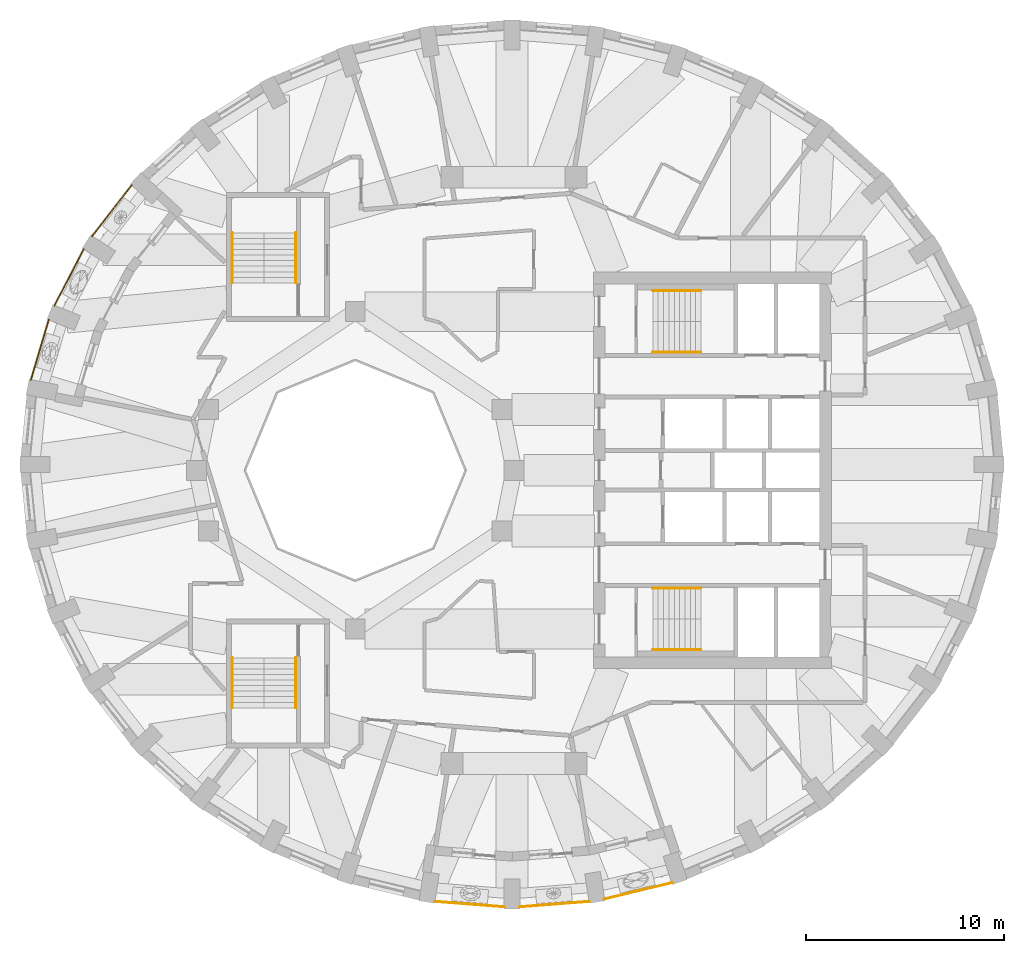
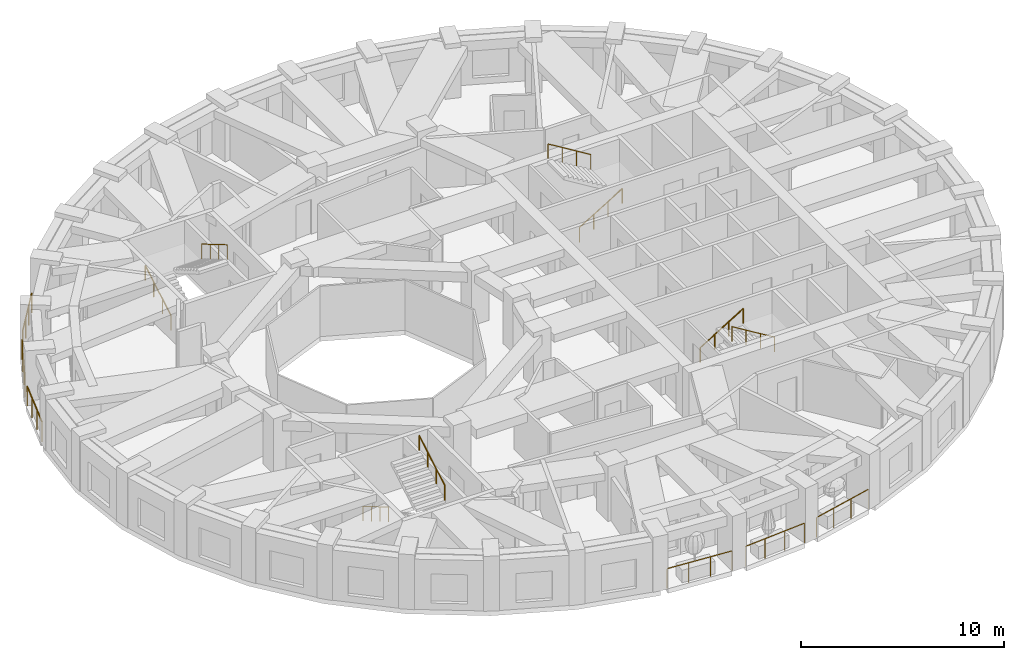
# One storey, part 10 of 12: 14 railings.
"""IFC4 building model written with IfcOpenShell, lengths in metres."""

from ifc_helpers import new_model, si_unit, direction, frame, origin, origin_2d, place, context, subcontext, project, spatial, circle, extrude, material, type_object, element, save


model = new_model("IFC4")

# Units and contexts
model_context = context("Model", 3, precision=1e-05, world=origin(), true_north=direction((0.0, 1.0)))
body_context = subcontext(model_context, "Body", "Model", "MODEL_VIEW")
ifc_project = project(units=[si_unit("LENGTHUNIT", "METRE"), si_unit("AREAUNIT", "SQUARE_METRE"), si_unit("VOLUMEUNIT", "CUBIC_METRE"), si_unit("PLANEANGLEUNIT", "RADIAN"), si_unit("MASSUNIT", "GRAM", prefix="KILO")], contexts=[model_context])

# Site, building, storey
site_placement = place(None, origin())
site = spatial("IfcSite", under=ifc_project, at=site_placement, CompositionType="ELEMENT")
building_placement = place(site_placement, origin())
building = spatial("IfcBuilding", under=site, at=building_placement, Name="Taillehof Tower", CompositionType="ELEMENT")
storey_placement = place(building_placement, frame((0.0, 0.0, 246.5)))
storey = spatial("IfcBuildingStorey", under=building, at=storey_placement, Name="L70", CompositionType="ELEMENT", Elevation=246.5)

# Railings
ifc_material_1 = material(Name="Stainless steel balustrade", Category="steel")
railing_type_1 = type_object("IfcRailingType", Name="Balcony guard 1200", PredefinedType="GUARDRAIL", material=ifc_material_1)
railing_1_placement = place(storey_placement, frame((-4.004638671875, -21.732177734375, 0.0)))
element("IfcRailing", 1, at=railing_1_placement, inside=storey, type_object=railing_type_1, Name="Balcony guard L70 bay 27", PredefinedType="GUARDRAIL", context=body_context, shape_type="SweptSolid", body=[
    extrude(circle(Radius=0.02392578125, at=origin_2d()), frame((0.0, 0.0, 1.17578125), z_axis=(0.99691310074, -0.078512862474, 0.0), x_axis=(0.078512862474, 0.99691310074, 0.0)), (0.0, 0.0, 1.0), 3.53564453125),
    extrude(circle(Radius=0.02099609375, at=origin_2d()), origin(), (0.0, 0.0, 1.0), 1.15185546875),
    extrude(circle(Radius=0.02099609375, at=origin_2d()), frame((1.1748046875, -0.092529296875, 0.0)), (0.0, 0.0, 1.0), 1.15185546875),
    extrude(circle(Radius=0.02099609375, at=origin_2d()), frame((2.349853515625, -0.18505859375, 0.0)), (0.0, 0.0, 1.0), 1.15185546875),
    extrude(circle(Radius=0.02099609375, at=origin_2d()), frame((3.524658203125, -0.277587890625, 0.0)), (0.0, 0.0, 1.0), 1.15185546875),
])
railing_2_placement = place(storey_placement, frame((0.280029296875, -22.009765625, 0.0)))
element("IfcRailing", 2, at=railing_2_placement, inside=storey, type_object=railing_type_1, Name="Balcony guard L70 bay 28", PredefinedType="GUARDRAIL", context=body_context, shape_type="SweptSolid", body=[
    extrude(circle(Radius=0.02392578125, at=origin_2d()), frame((0.0, 0.0, 1.17578125), z_axis=(0.99691310074, 0.078512862474, 0.0), x_axis=(-0.078512862474, 0.99691310074, 0.0)), (0.0, 0.0, 1.0), 3.53564453125),
    extrude(circle(Radius=0.02099609375, at=origin_2d()), origin(), (0.0, 0.0, 1.0), 1.15185546875),
    extrude(circle(Radius=0.02099609375, at=origin_2d()), frame((1.1748046875, 0.092529296875, 0.0)), (0.0, 0.0, 1.0), 1.15185546875),
    extrude(circle(Radius=0.02099609375, at=origin_2d()), frame((2.349853515625, 0.18505859375, 0.0)), (0.0, 0.0, 1.0), 1.15185546875),
    extrude(circle(Radius=0.02099609375, at=origin_2d()), frame((3.524658203125, 0.277587890625, 0.0)), (0.0, 0.0, 1.0), 1.15185546875),
])
railing_3_placement = place(storey_placement, frame((4.555419921875, -21.61279296875, 0.0)))
element("IfcRailing", 3, at=railing_3_placement, inside=storey, type_object=railing_type_1, Name="Balcony guard L70 bay 29", PredefinedType="GUARDRAIL", context=body_context, shape_type="SweptSolid", body=[
    extrude(circle(Radius=0.02392578125, at=origin_2d()), frame((0.0, 0.0, 1.17578125), z_axis=(0.972116636457, 0.234497857397, 0.0), x_axis=(-0.234497857397, 0.972116636457, 0.0)), (0.0, 0.0, 1.0), 3.5126953125),
    extrude(circle(Radius=0.02099609375, at=origin_2d()), origin(), (0.0, 0.0, 1.0), 1.15185546875),
    extrude(circle(Radius=0.02099609375, at=origin_2d()), frame((1.13818359375, 0.274658203125, 0.0)), (0.0, 0.0, 1.0), 1.15185546875),
    extrude(circle(Radius=0.02099609375, at=origin_2d()), frame((2.276611328125, 0.549072265625, 0.0)), (0.0, 0.0, 1.0), 1.15185546875),
    extrude(circle(Radius=0.02099609375, at=origin_2d()), frame((3.414794921875, 0.82373046875, 0.0)), (0.0, 0.0, 1.0), 1.15185546875),
])
railing_4_placement = place(storey_placement, frame((-19.262939453125, 14.384521484375, 0.0)))
element("IfcRailing", 4, at=railing_4_placement, inside=storey, type_object=railing_type_1, Name="Balcony guard L70 bay 15", PredefinedType="GUARDRAIL", context=body_context, shape_type="SweptSolid", body=[
    extrude(circle(Radius=0.02392578125, at=origin_2d()), frame((0.0, 0.0, 1.17578125), z_axis=(-0.613914823263, -0.789372275785, 0.0), x_axis=(0.789372275785, -0.613914823263, 0.0)), (0.0, 0.0, 1.0), 3.27685546875),
    extrude(circle(Radius=0.02099609375, at=origin_2d()), origin(), (0.0, 0.0, 1.0), 1.15185546875),
    extrude(circle(Radius=0.02099609375, at=origin_2d()), frame((-0.670654296875, -0.8623046875, 0.0)), (0.0, 0.0, 1.0), 1.15185546875),
    extrude(circle(Radius=0.02099609375, at=origin_2d()), frame((-1.341064453125, -1.724365234375, 0.0)), (0.0, 0.0, 1.0), 1.15185546875),
    extrude(circle(Radius=0.02099609375, at=origin_2d()), frame((-2.01171875, -2.586669921875, 0.0)), (0.0, 0.0, 1.0), 1.15185546875),
])
railing_5_placement = place(storey_placement, frame((-21.6845703125, 11.157470703125, 0.0)))
element("IfcRailing", 5, at=railing_5_placement, inside=storey, type_object=railing_type_1, Name="Balcony guard L70 bay 16", PredefinedType="GUARDRAIL", context=body_context, shape_type="SweptSolid", body=[
    extrude(circle(Radius=0.02392578125, at=origin_2d()), frame((0.0, 0.0, 1.17578125), z_axis=(-0.4599205147, -0.887960089282, 0.0), x_axis=(0.887960089282, -0.4599205147, 0.0)), (0.0, 0.0, 1.0), 3.21630859375),
    extrude(circle(Radius=0.02099609375, at=origin_2d()), origin(), (0.0, 0.0, 1.0), 1.15185546875),
    extrude(circle(Radius=0.02099609375, at=origin_2d()), frame((-0.4931640625, -0.951904296875, 0.0)), (0.0, 0.0, 1.0), 1.15185546875),
    extrude(circle(Radius=0.02099609375, at=origin_2d()), frame((-0.986083984375, -1.904052734375, 0.0)), (0.0, 0.0, 1.0), 1.15185546875),
    extrude(circle(Radius=0.02099609375, at=origin_2d()), frame((-1.479248046875, -2.85595703125, 0.0)), (0.0, 0.0, 1.0), 1.15185546875),
])
railing_6_placement = place(storey_placement, frame((-23.4482421875, 7.5966796875, 0.0)))
element("IfcRailing", 6, at=railing_6_placement, inside=storey, type_object=railing_type_1, Name="Balcony guard L70 bay 17", PredefinedType="GUARDRAIL", context=body_context, shape_type="SweptSolid", body=[
    extrude(circle(Radius=0.02392578125, at=origin_2d()), frame((0.0, 0.0, 1.17578125), z_axis=(-0.285199702908, -0.958468116038, 0.0), x_axis=(0.958468116038, -0.285199702908, 0.0)), (0.0, 0.0, 1.0), 3.170654296875),
    extrude(circle(Radius=0.02099609375, at=origin_2d()), origin(), (0.0, 0.0, 1.0), 1.15185546875),
    extrude(circle(Radius=0.02099609375, at=origin_2d()), frame((-0.301513671875, -1.012939453125, 0.0)), (0.0, 0.0, 1.0), 1.15185546875),
    extrude(circle(Radius=0.02099609375, at=origin_2d()), frame((-0.602783203125, -2.026123046875, 0.0)), (0.0, 0.0, 1.0), 1.15185546875),
    extrude(circle(Radius=0.02099609375, at=origin_2d()), frame((-0.904296875, -3.0390625, 0.0)), (0.0, 0.0, 1.0), 1.15185546875),
])
ifc_material_2 = material(Name="Stainless steel", Category="steel")
railing_type_2 = type_object("IfcRailingType", Name="Stair handrail 900", PredefinedType="HANDRAIL", material=ifc_material_2)
railing_7_placement = place(storey_placement, frame((7.0, 5.949951171875, 0.1650390625)))
element("IfcRailing", 7, at=railing_7_placement, inside=storey, type_object=railing_type_2, Name="Stair S1 handrail", PredefinedType="HANDRAIL", context=body_context, shape_type="SweptSolid", body=[
    extrude(circle(Radius=0.02392578125, at=origin_2d()), frame((0.0, 0.0, 0.8759765625), z_axis=(0.853296667938, 0.0, 0.521425734392), x_axis=(0.0, 1.0, 0.0)), (0.0, 0.0, 1.0), 2.84765625),
    extrude(circle(Radius=0.02099609375, at=origin_2d()), origin(), (0.0, 0.0, 1.0), 0.851806640625),
    extrude(circle(Radius=0.02099609375, at=origin_2d()), frame((0.81005859375, 0.0, 0.494873046875)), (0.0, 0.0, 1.0), 0.851806640625),
    extrude(circle(Radius=0.02099609375, at=origin_2d()), frame((1.619873046875, 0.0, 0.989990234375)), (0.0, 0.0, 1.0), 0.851806640625),
    extrude(circle(Radius=0.02099609375, at=origin_2d()), frame((2.429931640625, 0.0, 1.48486328125)), (0.0, 0.0, 1.0), 0.851806640625),
])
railing_8_placement = place(storey_placement, frame((9.429931640625, 9.050048828125, 1.81494140625)))
element("IfcRailing", 8, at=railing_8_placement, inside=storey, type_object=railing_type_2, Name="Stair S1 handrail", PredefinedType="HANDRAIL", context=body_context, shape_type="SweptSolid", body=[
    extrude(circle(Radius=0.02392578125, at=origin_2d()), frame((0.0, 0.0, 0.8759765625), z_axis=(-0.853258522278, 0.0, 0.521488153423), x_axis=(0.0, -1.0, 0.0)), (0.0, 0.0, 1.0), 2.847900390625),
    extrude(circle(Radius=0.02099609375, at=origin_2d()), origin(), (0.0, 0.0, 1.0), 0.851806640625),
    extrude(circle(Radius=0.02099609375, at=origin_2d()), frame((-0.81005859375, 0.0, 0.4951171875)), (0.0, 0.0, 1.0), 0.851806640625),
    extrude(circle(Radius=0.02099609375, at=origin_2d()), frame((-1.619873046875, 0.0, 0.989990234375)), (0.0, 0.0, 1.0), 0.851806640625),
    extrude(circle(Radius=0.02099609375, at=origin_2d()), frame((-2.429931640625, 0.0, 1.485107421875)), (0.0, 0.0, 1.0), 0.851806640625),
])
railing_9_placement = place(storey_placement, frame((7.0, -5.949951171875, 0.1650390625)))
element("IfcRailing", 9, at=railing_9_placement, inside=storey, type_object=railing_type_2, Name="Stair S2 handrail", PredefinedType="HANDRAIL", context=body_context, shape_type="SweptSolid", body=[
    extrude(circle(Radius=0.02392578125, at=origin_2d()), frame((0.0, 0.0, 0.8759765625), z_axis=(0.853296667938, 0.0, 0.521425734392), x_axis=(0.0, 1.0, 0.0)), (0.0, 0.0, 1.0), 2.84765625),
    extrude(circle(Radius=0.02099609375, at=origin_2d()), origin(), (0.0, 0.0, 1.0), 0.851806640625),
    extrude(circle(Radius=0.02099609375, at=origin_2d()), frame((0.81005859375, 0.0, 0.494873046875)), (0.0, 0.0, 1.0), 0.851806640625),
    extrude(circle(Radius=0.02099609375, at=origin_2d()), frame((1.619873046875, 0.0, 0.989990234375)), (0.0, 0.0, 1.0), 0.851806640625),
    extrude(circle(Radius=0.02099609375, at=origin_2d()), frame((2.429931640625, 0.0, 1.48486328125)), (0.0, 0.0, 1.0), 0.851806640625),
])
railing_10_placement = place(storey_placement, frame((9.429931640625, -9.050048828125, 1.81494140625)))
element("IfcRailing", 10, at=railing_10_placement, inside=storey, type_object=railing_type_2, Name="Stair S2 handrail", PredefinedType="HANDRAIL", context=body_context, shape_type="SweptSolid", body=[
    extrude(circle(Radius=0.02392578125, at=origin_2d()), frame((0.0, 0.0, 0.8759765625), z_axis=(-0.853258522278, 0.0, 0.521488153423), x_axis=(0.0, -1.0, 0.0)), (0.0, 0.0, 1.0), 2.847900390625),
    extrude(circle(Radius=0.02099609375, at=origin_2d()), origin(), (0.0, 0.0, 1.0), 0.851806640625),
    extrude(circle(Radius=0.02099609375, at=origin_2d()), frame((-0.81005859375, 0.0, 0.4951171875)), (0.0, 0.0, 1.0), 0.851806640625),
    extrude(circle(Radius=0.02099609375, at=origin_2d()), frame((-1.619873046875, 0.0, 0.989990234375)), (0.0, 0.0, 1.0), 0.851806640625),
    extrude(circle(Radius=0.02099609375, at=origin_2d()), frame((-2.429931640625, 0.0, 1.485107421875)), (0.0, 0.0, 1.0), 0.851806640625),
])
railing_11_placement = place(storey_placement, frame((-14.199951171875, 9.449951171875, 0.1650390625)))
element("IfcRailing", 11, at=railing_11_placement, inside=storey, type_object=railing_type_2, Name="Stair S3 handrail", PredefinedType="HANDRAIL", context=body_context, shape_type="SweptSolid", body=[
    extrude(circle(Radius=0.02392578125, at=origin_2d()), frame((0.0, 0.0, 0.8759765625), z_axis=(0.0, 0.861560626758, 0.507654692109), x_axis=(-1.0, 0.0, 0.0)), (0.0, 0.0, 1.0), 2.925048828125),
    extrude(circle(Radius=0.02099609375, at=origin_2d()), origin(), (0.0, 0.0, 1.0), 0.851806640625),
    extrude(circle(Radius=0.02099609375, at=origin_2d()), frame((0.0, 0.840087890625, 0.494873046875)), (0.0, 0.0, 1.0), 0.851806640625),
    extrude(circle(Radius=0.02099609375, at=origin_2d()), frame((0.0, 1.679931640625, 0.989990234375)), (0.0, 0.0, 1.0), 0.851806640625),
    extrude(circle(Radius=0.02099609375, at=origin_2d()), frame((0.0, 2.52001953125, 1.48486328125)), (0.0, 0.0, 1.0), 0.851806640625),
])
railing_12_placement = place(storey_placement, frame((-11.0, 11.969970703125, 1.81494140625)))
element("IfcRailing", 12, at=railing_12_placement, inside=storey, type_object=railing_type_2, Name="Stair S3 handrail", PredefinedType="HANDRAIL", context=body_context, shape_type="SweptSolid", body=[
    extrude(circle(Radius=0.02392578125, at=origin_2d()), frame((0.0, 0.0, 0.8759765625), z_axis=(0.0, -0.86152411907, 0.507716645641), x_axis=(1.0, 0.0, 0.0)), (0.0, 0.0, 1.0), 2.925048828125),
    extrude(circle(Radius=0.02099609375, at=origin_2d()), origin(), (0.0, 0.0, 1.0), 0.851806640625),
    extrude(circle(Radius=0.02099609375, at=origin_2d()), frame((0.0, -0.840087890625, 0.4951171875)), (0.0, 0.0, 1.0), 0.851806640625),
    extrude(circle(Radius=0.02099609375, at=origin_2d()), frame((0.0, -1.679931640625, 0.989990234375)), (0.0, 0.0, 1.0), 0.851806640625),
    extrude(circle(Radius=0.02099609375, at=origin_2d()), frame((0.0, -2.52001953125, 1.485107421875)), (0.0, 0.0, 1.0), 0.851806640625),
])
railing_13_placement = place(storey_placement, frame((-14.199951171875, -9.449951171875, 0.1650390625)))
element("IfcRailing", 13, at=railing_13_placement, inside=storey, type_object=railing_type_2, Name="Stair S4 handrail", PredefinedType="HANDRAIL", context=body_context, shape_type="SweptSolid", body=[
    extrude(circle(Radius=0.02392578125, at=origin_2d()), frame((0.0, 0.0, 0.8759765625), z_axis=(0.0, -0.861560626758, 0.507654692109), x_axis=(1.0, 0.0, 0.0)), (0.0, 0.0, 1.0), 2.925048828125),
    extrude(circle(Radius=0.02099609375, at=origin_2d()), origin(), (0.0, 0.0, 1.0), 0.851806640625),
    extrude(circle(Radius=0.02099609375, at=origin_2d()), frame((0.0, -0.840087890625, 0.494873046875)), (0.0, 0.0, 1.0), 0.851806640625),
    extrude(circle(Radius=0.02099609375, at=origin_2d()), frame((0.0, -1.679931640625, 0.989990234375)), (0.0, 0.0, 1.0), 0.851806640625),
    extrude(circle(Radius=0.02099609375, at=origin_2d()), frame((0.0, -2.52001953125, 1.48486328125)), (0.0, 0.0, 1.0), 0.851806640625),
])
railing_14_placement = place(storey_placement, frame((-11.0, -11.969970703125, 1.81494140625)))
element("IfcRailing", 14, at=railing_14_placement, inside=storey, type_object=railing_type_2, Name="Stair S4 handrail", PredefinedType="HANDRAIL", context=body_context, shape_type="SweptSolid", body=[
    extrude(circle(Radius=0.02392578125, at=origin_2d()), frame((0.0, 0.0, 0.8759765625), z_axis=(0.0, 0.86152411907, 0.507716645641), x_axis=(-1.0, 0.0, 0.0)), (0.0, 0.0, 1.0), 2.925048828125),
    extrude(circle(Radius=0.02099609375, at=origin_2d()), origin(), (0.0, 0.0, 1.0), 0.851806640625),
    extrude(circle(Radius=0.02099609375, at=origin_2d()), frame((0.0, 0.840087890625, 0.4951171875)), (0.0, 0.0, 1.0), 0.851806640625),
    extrude(circle(Radius=0.02099609375, at=origin_2d()), frame((0.0, 1.679931640625, 0.989990234375)), (0.0, 0.0, 1.0), 0.851806640625),
    extrude(circle(Radius=0.02099609375, at=origin_2d()), frame((0.0, 2.52001953125, 1.485107421875)), (0.0, 0.0, 1.0), 0.851806640625),
])

save(model, "model.ifc")
